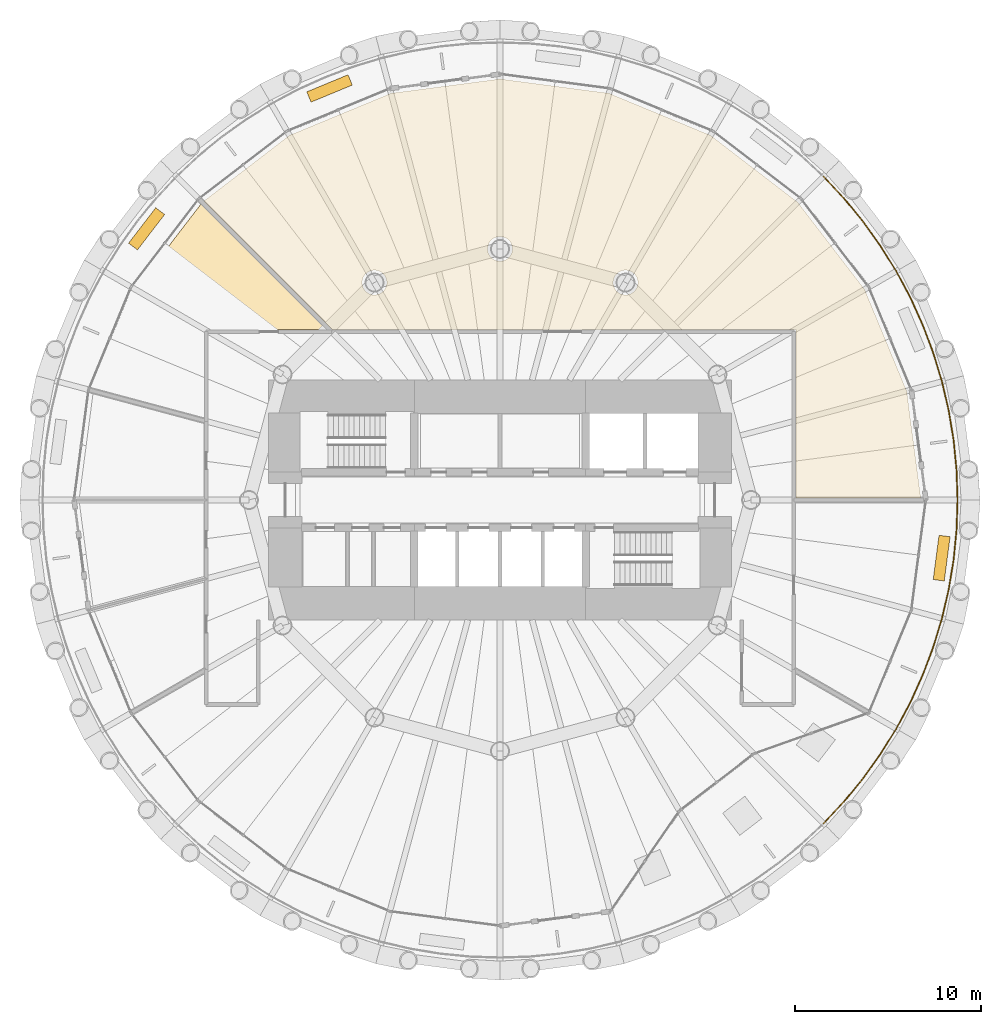
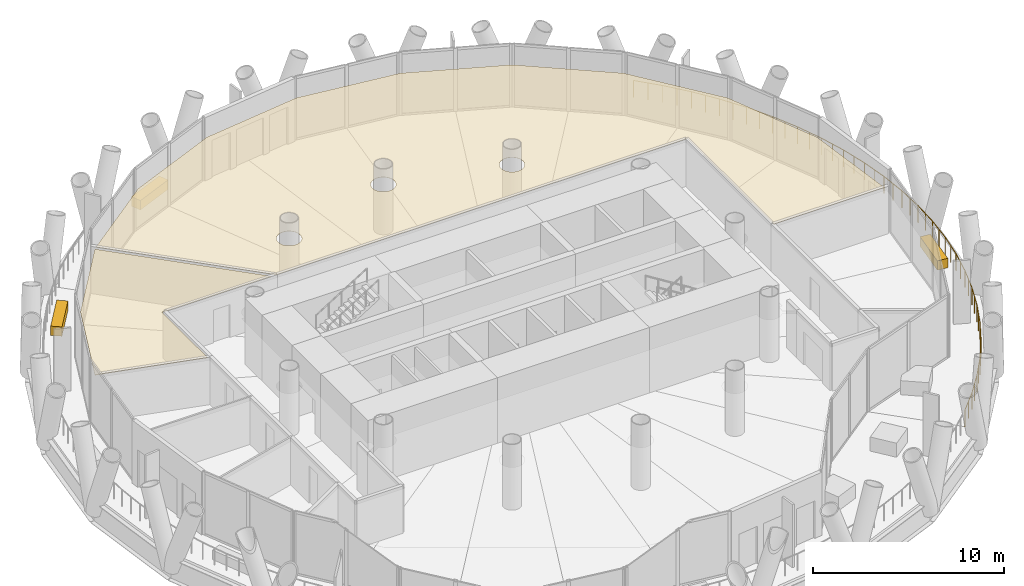
# One storey, part 14 of 15: 5 coverings, 1 railing.
"""IFC4 building model written with IfcOpenShell, lengths in metres."""

from ifc_helpers import new_model, si_unit, direction, frame, origin, origin_2d, place, context, subcontext, project, spatial, polyline, rectangle, circle, outline, extrude, material, layer, layer_set, type_object, element, save


model = new_model("IFC4")

# Units and contexts
model_context = context("Model", 3, precision=1e-05, world=origin(), true_north=direction((0.0, 1.0)))
body_context = subcontext(model_context, "Body", "Model", "MODEL_VIEW")
ifc_project = project(units=[si_unit("LENGTHUNIT", "METRE"), si_unit("AREAUNIT", "SQUARE_METRE"), si_unit("VOLUMEUNIT", "CUBIC_METRE"), si_unit("PLANEANGLEUNIT", "RADIAN"), si_unit("MASSUNIT", "GRAM", prefix="KILO")], contexts=[model_context])

# Site, building, storey
site_placement = place(None, origin())
site = spatial("IfcSite", under=ifc_project, at=site_placement, CompositionType="ELEMENT")
building_placement = place(site_placement, origin())
building = spatial("IfcBuilding", under=site, at=building_placement, Name="Qaws Media Tower", CompositionType="ELEMENT")
storey_placement = place(building_placement, frame((0.0, 0.0, 110.0)))
storey = spatial("IfcBuildingStorey", under=building, at=storey_placement, Name="L24", CompositionType="ELEMENT", Elevation=110.0)

# Covering
ifc_material_1 = material(Name="40 perforated acoustic panels with mineral wool backing, suspended", Category="mineral fibre")
ifc_layer_1 = layer(ifc_material_1, 0.0400390625)
ifc_layer_set_1 = layer_set([ifc_layer_1], Name="Acoustic panel ceiling 40")
covering_type_1 = type_object("IfcCoveringType", Name="Acoustic panel ceiling 40", PredefinedType="CEILING", material=ifc_layer_set_1)
covering_1_placement = place(storey_placement, frame((0.0, 0.0, 2.85009765625)))
element("IfcCovering", 1, at=covering_1_placement, inside=storey, type_object=covering_type_1, Name="CL3 ceiling L24-03 Client meeting room", PredefinedType="CEILING", context=body_context, shape_type="SweptSolid", body=[
    extrude(outline(polyline([(40.397216796875, 61.317626953125), (43.92529296875, 65.91552734375), (50.678466796875, 59.16259765625), (44.08740234375, 59.16259765625), (44.08740234375, 54.380126953125), (38.179443359375, 55.96337890625), (40.397216796875, 61.317626953125)])), origin(), (0.0, 0.0, 1.0), 0.039794921875),
])

# Railing
ifc_material_2 = material(Name="Stainless steel and glass guard", Category="steel")
railing_type = type_object("IfcRailingType", Name="Balcony guard 1100", PredefinedType="GUARDRAIL", material=ifc_material_2)
railing_placement = place(storey_placement, frame((77.394775390625, 32.605224609375, 0.0)))
element("IfcRailing", 2, at=railing_placement, inside=storey, type_object=railing_type, Name="GR1 balcony guard L24-4", PredefinedType="GUARDRAIL", context=body_context, shape_type="SweptSolid", body=[
    extrude(circle(Radius=0.02392578125, at=origin_2d()), frame((0.0, 0.0, 1.076171875), z_axis=(0.68367875559, 0.729783090483, 0.0), x_axis=(-0.729783090483, 0.68367875559, 0.0)), (0.0, 0.0, 1.0), 1.60986328125),
    extrude(circle(Radius=0.02392578125, at=origin_2d()), frame((1.1005859375, 1.1748046875, 1.076171875), z_axis=(0.634393302574, 0.773010438254, 0.0), x_axis=(-0.773010438254, 0.634393302574, 0.0)), (0.0, 0.0, 1.0), 1.60986328125),
    extrude(circle(Radius=0.02392578125, at=origin_2d()), frame((2.121826171875, 2.419189453125, 1.076171875), z_axis=(0.582385334428, 0.812912862639, 0.0), x_axis=(-0.812912862639, 0.582385334428, 0.0)), (0.0, 0.0, 1.0), 1.60986328125),
    extrude(circle(Radius=0.02392578125, at=origin_2d()), frame((3.059326171875, 3.727783203125, 1.076171875), z_axis=(0.528102637907, 0.849180548432, 0.0), x_axis=(-0.849180548432, 0.528102637907, 0.0)), (0.0, 0.0, 1.0), 1.609619140625),
    extrude(circle(Radius=0.02392578125, at=origin_2d()), frame((3.909423828125, 5.0947265625, 1.076171875), z_axis=(0.471375237295, 0.88193275575, 0.0), x_axis=(-0.88193275575, 0.471375237295, 0.0)), (0.0, 0.0, 1.0), 1.609619140625),
    extrude(circle(Radius=0.02392578125, at=origin_2d()), frame((4.668212890625, 6.514404296875, 1.076171875), z_axis=(0.412797217224, 0.910822956151, 0.0), x_axis=(-0.910822956151, 0.412797217224, 0.0)), (0.0, 0.0, 1.0), 1.60986328125),
    extrude(circle(Radius=0.02392578125, at=origin_2d()), frame((5.332763671875, 7.980712890625, 1.076171875), z_axis=(0.352170346338, 0.935935920435, 0.0), x_axis=(-0.935935920435, 0.352170346338, 0.0)), (0.0, 0.0, 1.0), 1.609619140625),
    extrude(circle(Radius=0.02392578125, at=origin_2d()), frame((5.899658203125, 9.4873046875, 1.076171875), z_axis=(0.290268349056, 0.956945288685, 0.0), x_axis=(-0.956945288685, 0.290268349056, 0.0)), (0.0, 0.0, 1.0), 1.60986328125),
    extrude(circle(Radius=0.02392578125, at=origin_2d()), frame((6.366943359375, 11.02783203125, 1.076171875), z_axis=(0.227052208943, 0.973882587592, 0.0), x_axis=(-0.973882587592, 0.227052208943, 0.0)), (0.0, 0.0, 1.0), 1.609619140625),
    extrude(circle(Radius=0.02392578125, at=origin_2d()), frame((6.732421875, 12.595458984375, 1.076171875), z_axis=(0.163021698469, 0.986622483946, 0.0), x_axis=(-0.986622483946, 0.163021698469, 0.0)), (0.0, 0.0, 1.0), 1.60986328125),
    extrude(circle(Radius=0.02392578125, at=origin_2d()), frame((6.994873046875, 14.183837890625, 1.076171875), z_axis=(0.09797199107, 0.995189172452, 0.0), x_axis=(-0.995189172452, 0.09797199107, 0.0)), (0.0, 0.0, 1.0), 1.60986328125),
    extrude(circle(Radius=0.02392578125, at=origin_2d()), frame((7.152587890625, 15.785888671875, 1.076171875), z_axis=(0.032759342343, 0.999463268704, 0.0), x_axis=(-0.999463268704, 0.032759342343, 0.0)), (0.0, 0.0, 1.0), 1.60986328125),
    extrude(circle(Radius=0.02392578125, at=origin_2d()), frame((7.205322265625, 17.394775390625, 1.076171875), z_axis=(-0.032759342343, 0.999463268704, 0.0), x_axis=(-0.999463268704, -0.032759342343, 0.0)), (0.0, 0.0, 1.0), 1.60986328125),
    extrude(circle(Radius=0.02392578125, at=origin_2d()), frame((7.152587890625, 19.003662109375, 1.076171875), z_axis=(-0.09797199107, 0.995189172452, 0.0), x_axis=(-0.995189172452, -0.09797199107, 0.0)), (0.0, 0.0, 1.0), 1.60986328125),
    extrude(circle(Radius=0.02392578125, at=origin_2d()), frame((6.994873046875, 20.605712890625, 1.076171875), z_axis=(-0.163021698469, 0.986622483946, 0.0), x_axis=(-0.986622483946, -0.163021698469, 0.0)), (0.0, 0.0, 1.0), 1.60986328125),
    extrude(circle(Radius=0.02392578125, at=origin_2d()), frame((6.732421875, 22.194091796875, 1.076171875), z_axis=(-0.227052208943, 0.973882587592, 0.0), x_axis=(-0.973882587592, -0.227052208943, 0.0)), (0.0, 0.0, 1.0), 1.609619140625),
    extrude(circle(Radius=0.02392578125, at=origin_2d()), frame((6.366943359375, 23.76171875, 1.076171875), z_axis=(-0.290268349056, 0.956945288685, 0.0), x_axis=(-0.956945288685, -0.290268349056, 0.0)), (0.0, 0.0, 1.0), 1.60986328125),
    extrude(circle(Radius=0.02392578125, at=origin_2d()), frame((5.899658203125, 25.30224609375, 1.076171875), z_axis=(-0.352170346338, 0.935935920435, 0.0), x_axis=(-0.935935920435, -0.352170346338, 0.0)), (0.0, 0.0, 1.0), 1.609619140625),
    extrude(circle(Radius=0.02392578125, at=origin_2d()), frame((5.332763671875, 26.808837890625, 1.076171875), z_axis=(-0.412797217224, 0.910822956151, 0.0), x_axis=(-0.910822956151, -0.412797217224, 0.0)), (0.0, 0.0, 1.0), 1.60986328125),
    extrude(circle(Radius=0.02392578125, at=origin_2d()), frame((4.668212890625, 28.275146484375, 1.076171875), z_axis=(-0.471375237295, 0.88193275575, 0.0), x_axis=(-0.88193275575, -0.471375237295, 0.0)), (0.0, 0.0, 1.0), 1.609619140625),
    extrude(circle(Radius=0.02392578125, at=origin_2d()), frame((3.909423828125, 29.69482421875, 1.076171875), z_axis=(-0.528102637907, 0.849180548432, 0.0), x_axis=(-0.849180548432, -0.528102637907, 0.0)), (0.0, 0.0, 1.0), 1.609619140625),
    extrude(circle(Radius=0.02392578125, at=origin_2d()), frame((3.059326171875, 31.061767578125, 1.076171875), z_axis=(-0.582385334428, 0.812912862639, 0.0), x_axis=(-0.812912862639, -0.582385334428, 0.0)), (0.0, 0.0, 1.0), 1.60986328125),
    extrude(circle(Radius=0.02392578125, at=origin_2d()), frame((2.121826171875, 32.370361328125, 1.076171875), z_axis=(-0.634393302574, 0.773010438254, 0.0), x_axis=(-0.773010438254, -0.634393302574, 0.0)), (0.0, 0.0, 1.0), 1.60986328125),
    extrude(circle(Radius=0.02392578125, at=origin_2d()), frame((1.1005859375, 33.61474609375, 1.076171875), z_axis=(-0.68367875559, 0.729783090483, 0.0), x_axis=(-0.729783090483, -0.68367875559, 0.0)), (0.0, 0.0, 1.0), 1.60986328125),
    extrude(circle(Radius=0.02099609375, at=origin_2d()), origin(), (0.0, 0.0, 1.0), 1.052001953125),
    extrude(circle(Radius=0.02099609375, at=origin_2d()), frame((0.55029296875, 0.58740234375, 0.0)), (0.0, 0.0, 1.0), 1.052001953125),
    extrude(circle(Radius=0.02099609375, at=origin_2d()), frame((1.1005859375, 1.1748046875, 0.0)), (0.0, 0.0, 1.0), 1.052001953125),
    extrude(circle(Radius=0.02099609375, at=origin_2d()), frame((1.611328125, 1.796875, 0.0)), (0.0, 0.0, 1.0), 1.052001953125),
    extrude(circle(Radius=0.02099609375, at=origin_2d()), frame((2.121826171875, 2.419189453125, 0.0)), (0.0, 0.0, 1.0), 1.052001953125),
    extrude(circle(Radius=0.02099609375, at=origin_2d()), frame((2.590576171875, 3.073486328125, 0.0)), (0.0, 0.0, 1.0), 1.052001953125),
    extrude(circle(Radius=0.02099609375, at=origin_2d()), frame((3.059326171875, 3.727783203125, 0.0)), (0.0, 0.0, 1.0), 1.052001953125),
    extrude(circle(Radius=0.02099609375, at=origin_2d()), frame((3.484375, 4.4111328125, 0.0)), (0.0, 0.0, 1.0), 1.052001953125),
    extrude(circle(Radius=0.02099609375, at=origin_2d()), frame((3.909423828125, 5.0947265625, 0.0)), (0.0, 0.0, 1.0), 1.052001953125),
    extrude(circle(Radius=0.02099609375, at=origin_2d()), frame((4.288818359375, 5.8046875, 0.0)), (0.0, 0.0, 1.0), 1.052001953125),
    extrude(circle(Radius=0.02099609375, at=origin_2d()), frame((4.668212890625, 6.514404296875, 0.0)), (0.0, 0.0, 1.0), 1.052001953125),
    extrude(circle(Radius=0.02099609375, at=origin_2d()), frame((5.00048828125, 7.24755859375, 0.0)), (0.0, 0.0, 1.0), 1.052001953125),
    extrude(circle(Radius=0.02099609375, at=origin_2d()), frame((5.332763671875, 7.980712890625, 0.0)), (0.0, 0.0, 1.0), 1.052001953125),
    extrude(circle(Radius=0.02099609375, at=origin_2d()), frame((5.6162109375, 8.73388671875, 0.0)), (0.0, 0.0, 1.0), 1.052001953125),
    extrude(circle(Radius=0.02099609375, at=origin_2d()), frame((5.899658203125, 9.4873046875, 0.0)), (0.0, 0.0, 1.0), 1.052001953125),
    extrude(circle(Radius=0.02099609375, at=origin_2d()), frame((6.13330078125, 10.257568359375, 0.0)), (0.0, 0.0, 1.0), 1.052001953125),
    extrude(circle(Radius=0.02099609375, at=origin_2d()), frame((6.366943359375, 11.02783203125, 0.0)), (0.0, 0.0, 1.0), 1.052001953125),
    extrude(circle(Radius=0.02099609375, at=origin_2d()), frame((6.5498046875, 11.8115234375, 0.0)), (0.0, 0.0, 1.0), 1.052001953125),
    extrude(circle(Radius=0.02099609375, at=origin_2d()), frame((6.732421875, 12.595458984375, 0.0)), (0.0, 0.0, 1.0), 1.052001953125),
    extrude(circle(Radius=0.02099609375, at=origin_2d()), frame((6.86376953125, 13.3896484375, 0.0)), (0.0, 0.0, 1.0), 1.052001953125),
    extrude(circle(Radius=0.02099609375, at=origin_2d()), frame((6.994873046875, 14.183837890625, 0.0)), (0.0, 0.0, 1.0), 1.052001953125),
    extrude(circle(Radius=0.02099609375, at=origin_2d()), frame((7.07373046875, 14.98486328125, 0.0)), (0.0, 0.0, 1.0), 1.052001953125),
    extrude(circle(Radius=0.02099609375, at=origin_2d()), frame((7.152587890625, 15.785888671875, 0.0)), (0.0, 0.0, 1.0), 1.052001953125),
    extrude(circle(Radius=0.02099609375, at=origin_2d()), frame((7.178955078125, 16.59033203125, 0.0)), (0.0, 0.0, 1.0), 1.052001953125),
    extrude(circle(Radius=0.02099609375, at=origin_2d()), frame((7.205322265625, 17.394775390625, 0.0)), (0.0, 0.0, 1.0), 1.052001953125),
    extrude(circle(Radius=0.02099609375, at=origin_2d()), frame((7.178955078125, 18.19921875, 0.0)), (0.0, 0.0, 1.0), 1.052001953125),
    extrude(circle(Radius=0.02099609375, at=origin_2d()), frame((7.152587890625, 19.003662109375, 0.0)), (0.0, 0.0, 1.0), 1.052001953125),
    extrude(circle(Radius=0.02099609375, at=origin_2d()), frame((7.07373046875, 19.8046875, 0.0)), (0.0, 0.0, 1.0), 1.052001953125),
    extrude(circle(Radius=0.02099609375, at=origin_2d()), frame((6.994873046875, 20.605712890625, 0.0)), (0.0, 0.0, 1.0), 1.052001953125),
    extrude(circle(Radius=0.02099609375, at=origin_2d()), frame((6.86376953125, 21.39990234375, 0.0)), (0.0, 0.0, 1.0), 1.052001953125),
    extrude(circle(Radius=0.02099609375, at=origin_2d()), frame((6.732421875, 22.194091796875, 0.0)), (0.0, 0.0, 1.0), 1.052001953125),
    extrude(circle(Radius=0.02099609375, at=origin_2d()), frame((6.5498046875, 22.97802734375, 0.0)), (0.0, 0.0, 1.0), 1.052001953125),
    extrude(circle(Radius=0.02099609375, at=origin_2d()), frame((6.366943359375, 23.76171875, 0.0)), (0.0, 0.0, 1.0), 1.052001953125),
    extrude(circle(Radius=0.02099609375, at=origin_2d()), frame((6.13330078125, 24.531982421875, 0.0)), (0.0, 0.0, 1.0), 1.052001953125),
    extrude(circle(Radius=0.02099609375, at=origin_2d()), frame((5.899658203125, 25.30224609375, 0.0)), (0.0, 0.0, 1.0), 1.052001953125),
    extrude(circle(Radius=0.02099609375, at=origin_2d()), frame((5.6162109375, 26.0556640625, 0.0)), (0.0, 0.0, 1.0), 1.052001953125),
    extrude(circle(Radius=0.02099609375, at=origin_2d()), frame((5.332763671875, 26.808837890625, 0.0)), (0.0, 0.0, 1.0), 1.052001953125),
    extrude(circle(Radius=0.02099609375, at=origin_2d()), frame((5.00048828125, 27.5419921875, 0.0)), (0.0, 0.0, 1.0), 1.052001953125),
    extrude(circle(Radius=0.02099609375, at=origin_2d()), frame((4.668212890625, 28.275146484375, 0.0)), (0.0, 0.0, 1.0), 1.052001953125),
    extrude(circle(Radius=0.02099609375, at=origin_2d()), frame((4.288818359375, 28.98486328125, 0.0)), (0.0, 0.0, 1.0), 1.052001953125),
    extrude(circle(Radius=0.02099609375, at=origin_2d()), frame((3.909423828125, 29.69482421875, 0.0)), (0.0, 0.0, 1.0), 1.052001953125),
    extrude(circle(Radius=0.02099609375, at=origin_2d()), frame((3.484375, 30.37841796875, 0.0)), (0.0, 0.0, 1.0), 1.052001953125),
    extrude(circle(Radius=0.02099609375, at=origin_2d()), frame((3.059326171875, 31.061767578125, 0.0)), (0.0, 0.0, 1.0), 1.052001953125),
    extrude(circle(Radius=0.02099609375, at=origin_2d()), frame((2.590576171875, 31.716064453125, 0.0)), (0.0, 0.0, 1.0), 1.052001953125),
    extrude(circle(Radius=0.02099609375, at=origin_2d()), frame((2.121826171875, 32.370361328125, 0.0)), (0.0, 0.0, 1.0), 1.052001953125),
    extrude(circle(Radius=0.02099609375, at=origin_2d()), frame((1.611328125, 32.99267578125, 0.0)), (0.0, 0.0, 1.0), 1.052001953125),
    extrude(circle(Radius=0.02099609375, at=origin_2d()), frame((1.1005859375, 33.61474609375, 0.0)), (0.0, 0.0, 1.0), 1.052001953125),
    extrude(circle(Radius=0.02099609375, at=origin_2d()), frame((0.55029296875, 34.2021484375, 0.0)), (0.0, 0.0, 1.0), 1.052001953125),
    extrude(circle(Radius=0.02099609375, at=origin_2d()), frame((0.0, 34.78955078125, 0.0)), (0.0, 0.0, 1.0), 1.052001953125),
])

# Coverings
ifc_material_3 = material(Name="600 x 600 mineral fibre tiles in exposed grid, suspended", Category="mineral fibre")
ifc_layer_2 = layer(ifc_material_3, 0.02001953125)
ifc_layer_set_2 = layer_set([ifc_layer_2], Name="Mineral fibre tile ceiling 20")
covering_type_2 = type_object("IfcCoveringType", Name="Mineral fibre tile ceiling 20", PredefinedType="CEILING", material=ifc_layer_set_2)
covering_2_placement = place(storey_placement, frame((0.0, 0.0, 2.85009765625)))
element("IfcCovering", 3, at=covering_2_placement, inside=storey, type_object=covering_type_2, Name="CL1 ceiling L24-02 Sales office", PredefinedType="CEILING", context=body_context, shape_type="SweptSolid", body=[
    extrude(outline(polyline([(48.682373046875, 69.602783203125), (54.1416015625, 71.864013671875), (60.0, 72.63525390625), (65.8583984375, 71.864013671875), (71.317626953125, 69.602783203125), (76.005615234375, 66.005615234375), (79.602783203125, 61.317626953125), (81.864013671875, 55.8583984375), (82.620361328125, 50.112548828125), (75.91259765625, 50.112548828125), (75.91259765625, 59.16259765625), (50.99658203125, 59.16259765625), (44.08447265625, 66.07470703125), (48.682373046875, 69.602783203125)]), holes=[polyline([(53.8671875, 61.435791015625), (53.895263671875, 61.5185546875), (53.912353515625, 61.604248046875), (53.91796875, 61.69140625), (53.912353515625, 61.778564453125), (53.895263671875, 61.8642578125), (53.8671875, 61.947021484375), (53.82861328125, 62.025390625), (53.780029296875, 62.097900390625), (53.722412109375, 62.163818359375), (53.65673828125, 62.22119140625), (53.583984375, 62.269775390625), (53.505615234375, 62.30859375), (53.4228515625, 62.336669921875), (53.337158203125, 62.353515625), (53.25, 62.359375), (53.162841796875, 62.353515625), (53.0771484375, 62.336669921875), (52.994384765625, 62.30859375), (52.916015625, 62.269775390625), (52.84326171875, 62.22119140625), (52.777587890625, 62.163818359375), (52.719970703125, 62.097900390625), (52.67138671875, 62.025390625), (52.6328125, 61.947021484375), (52.604736328125, 61.8642578125), (52.587646484375, 61.778564453125), (52.58203125, 61.69140625), (52.587646484375, 61.604248046875), (52.604736328125, 61.5185546875), (52.6328125, 61.435791015625), (52.67138671875, 61.357421875), (52.719970703125, 61.28466796875), (52.777587890625, 61.218994140625), (52.84326171875, 61.161376953125), (52.916015625, 61.11279296875), (52.994384765625, 61.07421875), (53.0771484375, 61.046142578125), (53.162841796875, 61.029052734375), (53.25, 61.023193359375), (53.337158203125, 61.029052734375), (53.4228515625, 61.046142578125), (53.505615234375, 61.07421875), (53.583984375, 61.11279296875), (53.65673828125, 61.161376953125), (53.722412109375, 61.218994140625), (53.780029296875, 61.28466796875), (53.82861328125, 61.357421875), (53.8671875, 61.435791015625)]), polyline([(60.6171875, 63.244384765625), (60.645263671875, 63.3271484375), (60.662353515625, 63.412841796875), (60.66796875, 63.5), (60.662353515625, 63.587158203125), (60.645263671875, 63.6728515625), (60.6171875, 63.755615234375), (60.57861328125, 63.833984375), (60.530029296875, 63.90673828125), (60.472412109375, 63.972412109375), (60.40673828125, 64.030029296875), (60.333984375, 64.07861328125), (60.255615234375, 64.1171875), (60.1728515625, 64.145263671875), (60.087158203125, 64.162353515625), (60.0, 64.16796875), (59.912841796875, 64.162353515625), (59.8271484375, 64.145263671875), (59.744384765625, 64.1171875), (59.666015625, 64.07861328125), (59.59326171875, 64.030029296875), (59.527587890625, 63.972412109375), (59.469970703125, 63.90673828125), (59.42138671875, 63.833984375), (59.3828125, 63.755615234375), (59.354736328125, 63.6728515625), (59.337646484375, 63.587158203125), (59.33203125, 63.5), (59.337646484375, 63.412841796875), (59.354736328125, 63.3271484375), (59.3828125, 63.244384765625), (59.42138671875, 63.166015625), (59.469970703125, 63.09326171875), (59.527587890625, 63.027587890625), (59.59326171875, 62.969970703125), (59.666015625, 62.92138671875), (59.744384765625, 62.8828125), (59.8271484375, 62.854736328125), (59.912841796875, 62.837646484375), (60.0, 62.83203125), (60.087158203125, 62.837646484375), (60.1728515625, 62.854736328125), (60.255615234375, 62.8828125), (60.333984375, 62.92138671875), (60.40673828125, 62.969970703125), (60.472412109375, 63.027587890625), (60.530029296875, 63.09326171875), (60.57861328125, 63.166015625), (60.6171875, 63.244384765625)]), polyline([(67.3671875, 61.435791015625), (67.395263671875, 61.5185546875), (67.412353515625, 61.604248046875), (67.41796875, 61.69140625), (67.412353515625, 61.778564453125), (67.395263671875, 61.8642578125), (67.3671875, 61.947021484375), (67.32861328125, 62.025390625), (67.280029296875, 62.097900390625), (67.222412109375, 62.163818359375), (67.15673828125, 62.22119140625), (67.083984375, 62.269775390625), (67.005615234375, 62.30859375), (66.9228515625, 62.336669921875), (66.837158203125, 62.353515625), (66.75, 62.359375), (66.662841796875, 62.353515625), (66.5771484375, 62.336669921875), (66.494384765625, 62.30859375), (66.416015625, 62.269775390625), (66.34326171875, 62.22119140625), (66.277587890625, 62.163818359375), (66.219970703125, 62.097900390625), (66.17138671875, 62.025390625), (66.1328125, 61.947021484375), (66.104736328125, 61.8642578125), (66.087646484375, 61.778564453125), (66.08203125, 61.69140625), (66.087646484375, 61.604248046875), (66.104736328125, 61.5185546875), (66.1328125, 61.435791015625), (66.17138671875, 61.357421875), (66.219970703125, 61.28466796875), (66.277587890625, 61.218994140625), (66.34326171875, 61.161376953125), (66.416015625, 61.11279296875), (66.494384765625, 61.07421875), (66.5771484375, 61.046142578125), (66.662841796875, 61.029052734375), (66.75, 61.023193359375), (66.837158203125, 61.029052734375), (66.9228515625, 61.046142578125), (67.005615234375, 61.07421875), (67.083984375, 61.11279296875), (67.15673828125, 61.161376953125), (67.222412109375, 61.218994140625), (67.280029296875, 61.28466796875), (67.32861328125, 61.357421875), (67.3671875, 61.435791015625)])]), origin(), (0.0, 0.0, 1.0), 0.02001953125),
])
ifc_material_4 = material(Name="Precast concrete planter with trailing planting", Category="concrete")
ifc_layer_3 = layer(ifc_material_4, 0.60009765625)
ifc_layer_set_3 = layer_set([ifc_layer_3], Name="Planter 2400x600")
covering_type_3 = type_object("IfcCoveringType", Name="Planter 2400x600", PredefinedType="USERDEFINED", material=ifc_layer_set_3)
for number, where, z_axis, x_axis, name in (
    (4, (50.834716796875, 72.126953125, 0.0), (0.0, 0.0, 1.0), (-0.923879532511, -0.382683432365, 0.0), "PL1 balcony planter L24-04"),
    (5, (40.999267578125, 64.579833984375, 0.0), (0.0, 0.0, 1.0), (-0.608761429009, -0.793353340291, 0.0), "PL1 balcony planter L24-05"),
    (6, (83.7451171875, 46.873779296875, 0.0), (0.0, 0.0, 1.0), (0.13052619222, 0.991444861374, 0.0), "PL1 balcony planter L24-12"),
):
    element("IfcCovering", number, at=place(storey_placement, frame(where, z_axis=z_axis, x_axis=x_axis)), inside=storey, type_object=covering_type_3, Name=name, ObjectType="PLANTER", PredefinedType="USERDEFINED", context=body_context, shape_type="SweptSolid", body=[
        extrude(rectangle(XDim=2.39990234375, YDim=0.60009765625, at=origin_2d()), origin(), (0.0, 0.0, 1.0), 0.60009765625),
    ])

save(model, "model.ifc")
